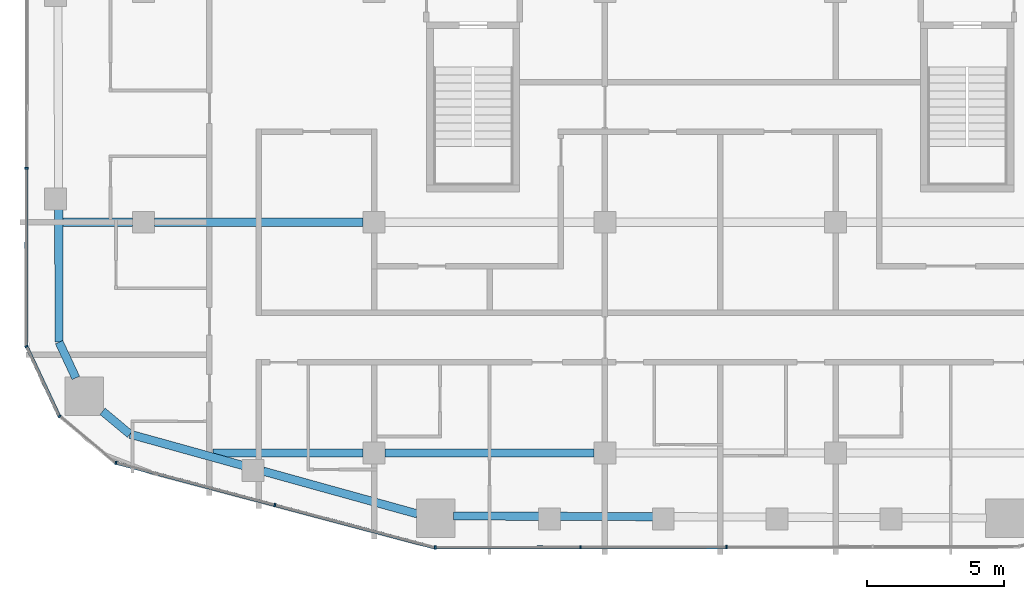
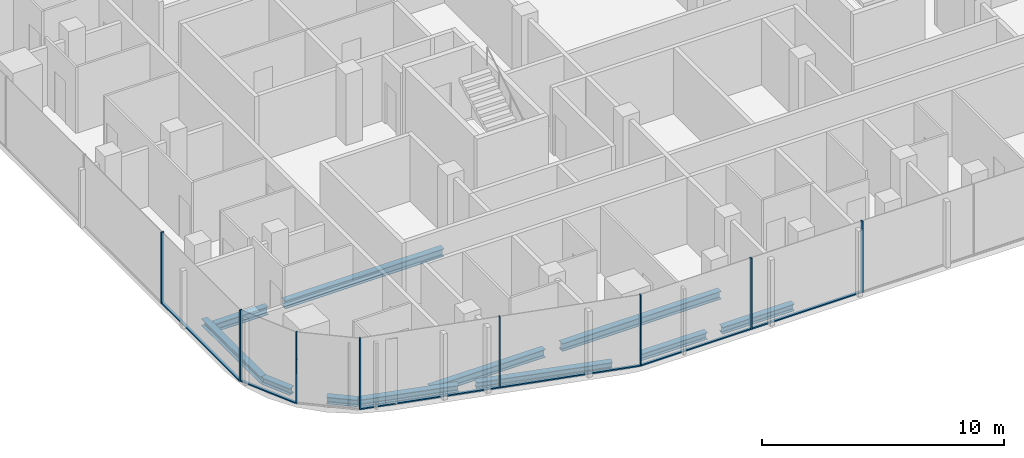
# One storey, part 2 of 22: 14 members, 11 beams, 5 elements without a shape of their own.
"""IFC4 building model written with IfcOpenShell, lengths in metres."""

from ifc_helpers import new_model, si_unit, direction, frame, origin, origin_2d, place, context, subcontext, project, spatial, rectangle, i_section, extrude, material, layer, layer_set, material_profile, profile_set, type_object, element, aggregate, save


model = new_model("IFC4")

# Units and contexts
model_context = context("Model", 3, precision=1e-05, world=origin(), true_north=direction((0.0, 1.0)))
body_context = subcontext(model_context, "Body", "Model", "MODEL_VIEW")
ifc_project = project(units=[si_unit("LENGTHUNIT", "METRE"), si_unit("AREAUNIT", "SQUARE_METRE"), si_unit("VOLUMEUNIT", "CUBIC_METRE"), si_unit("PLANEANGLEUNIT", "RADIAN"), si_unit("MASSUNIT", "GRAM", prefix="KILO")], contexts=[model_context])

# Site, building, storey
site_placement = place(None, origin())
site = spatial("IfcSite", under=ifc_project, at=site_placement, CompositionType="ELEMENT")
building_placement = place(site_placement, origin())
building = spatial("IfcBuilding", under=site, at=building_placement, Name="Marenta Gate Hotel Tower", CompositionType="ELEMENT")
storey_placement = place(building_placement, frame((0.0, 0.0, 230.89990234375)))
storey = spatial("IfcBuildingStorey", under=building, at=storey_placement, Name="L54", CompositionType="ELEMENT", Elevation=230.89990234375)

# Beams
ifc_material_1 = material(Name="Steel S355", Category="steel")
ifc_material_profile_1 = material_profile(ifc_material_1, i_section(OverallWidth=0.300048828125, OverallDepth=0.340087890625, WebThickness=0.011962890625, FlangeThickness=0.021484375, FilletRadius=0.027099609375, at=origin_2d()), Name="HEB 340")
ifc_profile_set_1 = profile_set([ifc_material_profile_1], Name="Steel S355")
beam_type_1 = type_object("IfcBeamType", Name="Edge beam HEB 340", PredefinedType="SPANDREL", material=ifc_profile_set_1)
beam_1_placement = place(storey_placement, frame((-11.02783203125, -27.42236328125, -0.429931640625), z_axis=(-0.963619240724, 0.267278803699, 0.0), x_axis=(-0.267278803699, -0.963619240724, 0.0)))
element("IfcBeam", 1, at=beam_1_placement, inside=storey, type_object=beam_type_1, Name="L54-EB-1", PredefinedType="SPANDREL", context=body_context, shape_type="SweptSolid", body=[
    extrude(i_section(OverallWidth=0.300048828125, OverallDepth=0.340087890625, WebThickness=0.011962890625, FlangeThickness=0.021484375, FilletRadius=0.027099609375, at=origin_2d()), origin(), (0.0, 0.0, 1.0), 5.82958984375),
])
beam_2_placement = place(storey_placement, frame((-17.3681640625, -25.663818359375, -0.429931640625), z_axis=(-0.963628037304, 0.267247087396, 0.0), x_axis=(-0.267247087396, -0.963628037304, 0.0)))
element("IfcBeam", 2, at=beam_2_placement, inside=storey, type_object=beam_type_1, Name="L54-EB-2", PredefinedType="SPANDREL", context=body_context, shape_type="SweptSolid", body=[
    extrude(i_section(OverallWidth=0.300048828125, OverallDepth=0.340087890625, WebThickness=0.011962890625, FlangeThickness=0.021484375, FilletRadius=0.027099609375, at=origin_2d()), origin(), (0.0, 0.0, 1.0), 4.284423828125),
])
beam_3_placement = place(storey_placement, frame((-21.496826171875, -24.518798828125, -0.429931640625), z_axis=(-0.767065103149, 0.641569269472, 0.0), x_axis=(-0.641569269472, -0.767065103149, 0.0)))
element("IfcBeam", 3, at=beam_3_placement, inside=storey, type_object=beam_type_1, Name="L54-EB-3", PredefinedType="SPANDREL", context=body_context, shape_type="SweptSolid", body=[
    extrude(i_section(OverallWidth=0.300048828125, OverallDepth=0.340087890625, WebThickness=0.011962890625, FlangeThickness=0.021484375, FilletRadius=0.027099609375, at=origin_2d()), origin(), (0.0, 0.0, 1.0), 1.299560546875),
])
beam_4_placement = place(storey_placement, frame((-23.466796875, -22.46923828125, -0.429931640625), z_axis=(-0.423341112024, 0.905970365338, 0.0), x_axis=(-0.905970365338, -0.423341112024, 0.0)))
element("IfcBeam", 4, at=beam_4_placement, inside=storey, type_object=beam_type_1, Name="L54-EB-4", PredefinedType="SPANDREL", context=body_context, shape_type="SweptSolid", body=[
    extrude(i_section(OverallWidth=0.300048828125, OverallDepth=0.340087890625, WebThickness=0.011962890625, FlangeThickness=0.021484375, FilletRadius=0.027099609375, at=origin_2d()), origin(), (0.0, 0.0, 1.0), 1.437255859375),
])
beam_5_placement = place(storey_placement, frame((-24.0751953125, -21.167236328125, -0.429931640625), z_axis=(-0.003318732666, 0.999994492992, 0.0), x_axis=(-0.999994492992, -0.003318732666, 0.0)))
element("IfcBeam", 5, at=beam_5_placement, inside=storey, type_object=beam_type_1, Name="L54-EB-5", PredefinedType="SPANDREL", context=body_context, shape_type="SweptSolid", body=[
    extrude(i_section(OverallWidth=0.300048828125, OverallDepth=0.340087890625, WebThickness=0.011962890625, FlangeThickness=0.021484375, FilletRadius=0.027099609375, at=origin_2d()), origin(), (0.0, 0.0, 1.0), 4.855224609375),
])
beam_6_placement = place(storey_placement, frame((-2.433349609375, -27.5234375, -0.429931640625), z_axis=(-0.999992599416, 0.003847221457, 0.0), x_axis=(-0.003847221457, -0.999992599416, 0.0)))
element("IfcBeam", 6, at=beam_6_placement, inside=storey, type_object=beam_type_1, Name="L54-EB-35", PredefinedType="SPANDREL", context=body_context, shape_type="SweptSolid", body=[
    extrude(i_section(OverallWidth=0.300048828125, OverallDepth=0.340087890625, WebThickness=0.011962890625, FlangeThickness=0.021484375, FilletRadius=0.027099609375, at=origin_2d()), origin(), (0.0, 0.0, 1.0), 3.4267578125),
])
beam_7_placement = place(storey_placement, frame((-6.580078125, -27.507568359375, -0.429931640625), z_axis=(-0.99999237665, 0.00390469495, 0.0), x_axis=(-0.00390469495, -0.99999237665, 0.0)))
element("IfcBeam", 7, at=beam_7_placement, inside=storey, type_object=beam_type_1, Name="L54-EB-36", PredefinedType="SPANDREL", context=body_context, shape_type="SweptSolid", body=[
    extrude(i_section(OverallWidth=0.300048828125, OverallDepth=0.340087890625, WebThickness=0.011962890625, FlangeThickness=0.021484375, FilletRadius=0.027099609375, at=origin_2d()), origin(), (0.0, 0.0, 1.0), 3.126220703125),
])
ifc_material_2 = material(Name="Steel S355", Category="steel")
ifc_material_profile_2 = material_profile(ifc_material_2, i_section(OverallWidth=0.300048828125, OverallDepth=0.39990234375, WebThickness=0.013427734375, FlangeThickness=0.02392578125, FilletRadius=0.027099609375, at=origin_2d()), Name="HEB 400")
ifc_profile_set_2 = profile_set([ifc_material_profile_2], Name="Steel S355")
beam_type_2 = type_object("IfcBeamType", Name="Girder HEB 400", PredefinedType="BEAM", material=ifc_profile_set_2)
beam_8_placement = place(storey_placement, frame((-18.479248046875, -25.199951171875, -0.4599609375), z_axis=(1.0, 0.0, 0.0), x_axis=(0.0, 1.0, 0.0)))
element("IfcBeam", 8, at=beam_8_placement, inside=storey, type_object=beam_type_2, Name="L54-GD-1", PredefinedType="BEAM", context=body_context, shape_type="SweptSolid", body=[
    extrude(i_section(OverallWidth=0.300048828125, OverallDepth=0.39990234375, WebThickness=0.013427734375, FlangeThickness=0.02392578125, FilletRadius=0.027099609375, at=origin_2d()), origin(), (0.0, 0.0, 1.0), 5.479248046875),
])
beam_9_placement = place(storey_placement, frame((-12.199951171875, -25.199951171875, -0.4599609375), z_axis=(1.0, 0.0, 0.0), x_axis=(0.0, 1.0, 0.0)))
element("IfcBeam", 9, at=beam_9_placement, inside=storey, type_object=beam_type_2, Name="L54-GD-2", PredefinedType="BEAM", context=body_context, shape_type="SweptSolid", body=[
    extrude(i_section(OverallWidth=0.300048828125, OverallDepth=0.39990234375, WebThickness=0.013427734375, FlangeThickness=0.02392578125, FilletRadius=0.027099609375, at=origin_2d()), origin(), (0.0, 0.0, 1.0), 7.599853515625),
])
beam_10_placement = place(storey_placement, frame((-23.939697265625, -16.800048828125, -0.4599609375), z_axis=(1.0, 0.0, 0.0), x_axis=(0.0, 1.0, 0.0)))
element("IfcBeam", 10, at=beam_10_placement, inside=storey, type_object=beam_type_2, Name="L54-GD-6", PredefinedType="BEAM", context=body_context, shape_type="SweptSolid", body=[
    extrude(i_section(OverallWidth=0.300048828125, OverallDepth=0.39990234375, WebThickness=0.013427734375, FlangeThickness=0.02392578125, FilletRadius=0.027099609375, at=origin_2d()), origin(), (0.0, 0.0, 1.0), 2.539794921875),
])
beam_11_placement = place(storey_placement, frame((-20.60009765625, -16.800048828125, -0.4599609375), z_axis=(1.0, 0.0, 0.0), x_axis=(0.0, 1.0, 0.0)))
element("IfcBeam", 11, at=beam_11_placement, inside=storey, type_object=beam_type_2, Name="L54-GD-7", PredefinedType="BEAM", context=body_context, shape_type="SweptSolid", body=[
    extrude(i_section(OverallWidth=0.300048828125, OverallDepth=0.39990234375, WebThickness=0.013427734375, FlangeThickness=0.02392578125, FilletRadius=0.027099609375, at=origin_2d()), origin(), (0.0, 0.0, 1.0), 7.60009765625),
])

# Curtain wall, member
ifc_material_3 = material(Name="Tinted insulated glass in bronze anodised frame", Category="glass")
ifc_layer = layer(ifc_material_3, 0.1201171875)
ifc_layer_set = layer_set([ifc_layer], Name="Tinted insulated glass in bronze anodised frame")
curtain_wall_type = type_object("IfcCurtainWallType", Name="Tower unitised curtain wall CW1", PredefinedType="NOTDEFINED", material=ifc_layer_set)
curtain_wall_1_placement = place(storey_placement, origin())
curtain_wall_1 = element("IfcCurtainWall", 12, at=curtain_wall_1_placement, inside=storey, type_object=curtain_wall_type, Name="CW1 run G03", PredefinedType="NOTDEFINED")
ifc_material_4 = material(Name="Bronze anodised aluminium", Category="aluminium")
ifc_material_profile_3 = material_profile(ifc_material_4, rectangle(XDim=0.1201171875, YDim=0.06005859375, at=origin_2d()), Name="Mullion CW1 60x120 bronze anodised aluminium")
ifc_profile_set_3 = profile_set([ifc_material_profile_3], Name="Bronze anodised aluminium")
member_type_1 = type_object("IfcMemberType", Name="Mullion CW1 60x120 bronze anodised aluminium", PredefinedType="MULLION", material=ifc_profile_set_3)
member_1_placement = place(storey_placement, frame((-25.262939453125, -14.833740234375, 0.0), z_axis=(0.0, 0.0, 1.0), x_axis=(0.99999877375, -0.001566045546, 0.0)))
member_1 = element("IfcMember", 13, at=member_1_placement, type_object=member_type_1, Name="CW1 mullion 6", PredefinedType="MULLION", context=body_context, shape_type="SweptSolid", body=[
    extrude(rectangle(XDim=0.1201171875, YDim=0.06005859375, at=origin_2d()), origin(), (0.0, 0.0, 1.0), 3.60009765625),
])

curtain_wall_2_placement = place(storey_placement, origin())
curtain_wall_2 = element("IfcCurtainWall", 14, at=curtain_wall_2_placement, inside=storey, type_object=curtain_wall_type, Name="CW1 run G04", PredefinedType="NOTDEFINED")
member_2_placement = place(storey_placement, frame((-25.26025390625, -21.321044921875, 0.0), z_axis=(0.0, 0.0, 1.0), x_axis=(0.905972194447, 0.42333719762, 0.0)))
member_2 = element("IfcMember", 15, at=member_2_placement, type_object=member_type_1, Name="CW1 mullion 1", PredefinedType="MULLION", context=body_context, shape_type="SweptSolid", body=[
    extrude(rectangle(XDim=0.1201171875, YDim=0.06005859375, at=origin_2d()), origin(), (0.0, 0.0, 1.0), 3.60009765625),
])

curtain_wall_3_placement = place(storey_placement, origin())
curtain_wall_3 = element("IfcCurtainWall", 16, at=curtain_wall_3_placement, inside=storey, type_object=curtain_wall_type, Name="CW1 run G05", PredefinedType="NOTDEFINED")
member_3_placement = place(storey_placement, frame((-24.059814453125, -23.85986328125, 0.0), z_axis=(0.0, 0.0, 1.0), x_axis=(0.641524739495, 0.767102345594, 0.0)))
member_3 = element("IfcMember", 17, at=member_3_placement, type_object=member_type_1, Name="CW1 mullion 1", PredefinedType="MULLION", context=body_context, shape_type="SweptSolid", body=[
    extrude(rectangle(XDim=0.1201171875, YDim=0.06005859375, at=origin_2d()), origin(), (0.0, 0.0, 1.0), 3.60009765625),
])
aggregate(curtain_wall_3, [member_3])

# Curtain wall, members
curtain_wall_4_placement = place(storey_placement, origin())
curtain_wall_4 = element("IfcCurtainWall", 18, at=curtain_wall_4_placement, inside=storey, type_object=curtain_wall_type, Name="CW1 run G06", PredefinedType="NOTDEFINED")
member_4_placement = place(storey_placement, frame((-22.00634765625, -25.560791015625, 0.0), z_axis=(0.0, 0.0, 1.0), x_axis=(0.257139197271, 0.966374375295, 0.0)))
member_4 = element("IfcMember", 19, at=member_4_placement, type_object=member_type_1, Name="CW1 mullion 1", PredefinedType="MULLION", context=body_context, shape_type="SweptSolid", body=[
    extrude(rectangle(XDim=0.1201171875, YDim=0.06005859375, at=origin_2d()), origin(), (0.0, 0.0, 1.0), 3.60009765625),
])
member_5_placement = place(storey_placement, frame((-16.220703125, -27.100341796875, 0.0), z_axis=(0.0, 0.0, 1.0), x_axis=(0.257139197271, 0.966374375295, 0.0)))
member_5 = element("IfcMember", 20, at=member_5_placement, type_object=member_type_1, Name="CW1 mullion 2", PredefinedType="MULLION", context=body_context, shape_type="SweptSolid", body=[
    extrude(rectangle(XDim=0.1201171875, YDim=0.06005859375, at=origin_2d()), origin(), (0.0, 0.0, 1.0), 3.60009765625),
])

curtain_wall_5_placement = place(storey_placement, origin())
curtain_wall_5 = element("IfcCurtainWall", 21, at=curtain_wall_5_placement, inside=storey, type_object=curtain_wall_type, Name="CW1 run G07", PredefinedType="NOTDEFINED")
member_6_placement = place(storey_placement, frame((-10.3759765625, -28.6474609375, 0.0), z_axis=(0.0, 0.0, 1.0), x_axis=(-0.001644757804, 0.999998647385, 0.0)))
member_6 = element("IfcMember", 22, at=member_6_placement, type_object=member_type_1, Name="CW1 mullion 1", PredefinedType="MULLION", context=body_context, shape_type="SweptSolid", body=[
    extrude(rectangle(XDim=0.1201171875, YDim=0.06005859375, at=origin_2d()), origin(), (0.0, 0.0, 1.0), 3.60009765625),
])
member_7_placement = place(storey_placement, frame((-5.086181640625, -28.638671875, 0.0), z_axis=(0.0, 0.0, 1.0), x_axis=(-0.001644757804, 0.999998647385, 0.0)))
member_7 = element("IfcMember", 23, at=member_7_placement, type_object=member_type_1, Name="CW1 mullion 2", PredefinedType="MULLION", context=body_context, shape_type="SweptSolid", body=[
    extrude(rectangle(XDim=0.1201171875, YDim=0.06005859375, at=origin_2d()), origin(), (0.0, 0.0, 1.0), 3.60009765625),
])
member_8_placement = place(storey_placement, frame((0.23388671875, -28.6298828125, 0.0), z_axis=(0.0, 0.0, 1.0), x_axis=(-0.001644757804, 0.999998647385, 0.0)))
member_8 = element("IfcMember", 24, at=member_8_placement, type_object=member_type_1, Name="CW1 mullion 3", PredefinedType="MULLION", context=body_context, shape_type="SweptSolid", body=[
    extrude(rectangle(XDim=0.1201171875, YDim=0.06005859375, at=origin_2d()), origin(), (0.0, 0.0, 1.0), 3.60009765625),
])

# Member
ifc_material_5 = material(Name="Bronze anodised aluminium", Category="aluminium")
ifc_material_profile_4 = material_profile(ifc_material_5, rectangle(XDim=0.1201171875, YDim=0.06005859375, at=origin_2d()), Name="Transom CW1 60x120 bronze anodised aluminium")
ifc_profile_set_4 = profile_set([ifc_material_profile_4], Name="Bronze anodised aluminium")
member_type_2 = type_object("IfcMemberType", Name="Transom CW1 60x120 bronze anodised aluminium", PredefinedType="USERDEFINED", material=ifc_profile_set_4)
member_9_placement = place(storey_placement, frame((-25.262939453125, -14.86376953125, 0.030029296875), z_axis=(-0.001556743377, -0.999998788274, 0.0), x_axis=(0.999998788274, -0.001556743377, 0.0)))
member_9 = element("IfcMember", 25, at=member_9_placement, type_object=member_type_2, Name="CW1 transom 6.1", ObjectType="TRANSOM", PredefinedType="USERDEFINED", context=body_context, shape_type="SweptSolid", body=[
    extrude(rectangle(XDim=0.1201171875, YDim=0.06005859375, at=origin_2d()), origin(), (0.0, 0.0, 1.0), 6.429931640625),
])

aggregate(curtain_wall_1, [member_1, member_9])

member_10_placement = place(storey_placement, frame((-25.24755859375, -21.34814453125, 0.030029296875), z_axis=(0.423274054321, -0.906001696984, 0.0), x_axis=(0.906001696984, 0.423274054321, 0.0)))
member_10 = element("IfcMember", 26, at=member_10_placement, type_object=member_type_2, Name="CW1 transom 1.1", ObjectType="TRANSOM", PredefinedType="USERDEFINED", context=body_context, shape_type="SweptSolid", body=[
    extrude(rectangle(XDim=0.1201171875, YDim=0.06005859375, at=origin_2d()), origin(), (0.0, 0.0, 1.0), 2.751220703125),
])

aggregate(curtain_wall_2, [member_2, member_10])

member_11_placement = place(storey_placement, frame((-21.977294921875, -25.568603515625, 0.030029296875), z_axis=(0.966378365457, -0.257124201073, 0.0), x_axis=(0.257124201073, 0.966378365457, 0.0)))
member_11 = element("IfcMember", 27, at=member_11_placement, type_object=member_type_2, Name="CW1 transom 1.1", ObjectType="TRANSOM", PredefinedType="USERDEFINED", context=body_context, shape_type="SweptSolid", body=[
    extrude(rectangle(XDim=0.1201171875, YDim=0.06005859375, at=origin_2d()), origin(), (0.0, 0.0, 1.0), 5.9267578125),
])

member_12_placement = place(storey_placement, frame((-16.191650390625, -27.10791015625, 0.030029296875), z_axis=(0.966371521912, -0.257149920549, 0.0), x_axis=(0.257149920549, 0.966371521912, 0.0)))
member_12 = element("IfcMember", 28, at=member_12_placement, type_object=member_type_2, Name="CW1 transom 2.1", ObjectType="TRANSOM", PredefinedType="USERDEFINED", context=body_context, shape_type="SweptSolid", body=[
    extrude(rectangle(XDim=0.1201171875, YDim=0.06005859375, at=origin_2d()), origin(), (0.0, 0.0, 1.0), 5.987060546875),
])

aggregate(curtain_wall_4, [member_4, member_5, member_11, member_12])

member_13_placement = place(storey_placement, frame((-10.345947265625, -28.6474609375, 0.030029296875), z_axis=(0.999998665295, 0.001633832195, 0.0), x_axis=(-0.001633832195, 0.999998665295, 0.0)))
member_13 = element("IfcMember", 29, at=member_13_placement, type_object=member_type_2, Name="CW1 transom 1.1", ObjectType="TRANSOM", PredefinedType="USERDEFINED", context=body_context, shape_type="SweptSolid", body=[
    extrude(rectangle(XDim=0.1201171875, YDim=0.06005859375, at=origin_2d()), origin(), (0.0, 0.0, 1.0), 5.22998046875),
])

member_14_placement = place(storey_placement, frame((-5.05615234375, -28.638671875, 0.030029296875), z_axis=(0.999998680491, 0.001624504703, 0.0), x_axis=(-0.001624504703, 0.999998680491, 0.0)))
member_14 = element("IfcMember", 30, at=member_14_placement, type_object=member_type_2, Name="CW1 transom 2.1", ObjectType="TRANSOM", PredefinedType="USERDEFINED", context=body_context, shape_type="SweptSolid", body=[
    extrude(rectangle(XDim=0.1201171875, YDim=0.06005859375, at=origin_2d()), origin(), (0.0, 0.0, 1.0), 5.260009765625),
])

aggregate(curtain_wall_5, [member_6, member_7, member_8, member_13, member_14])

save(model, "model.ifc")
